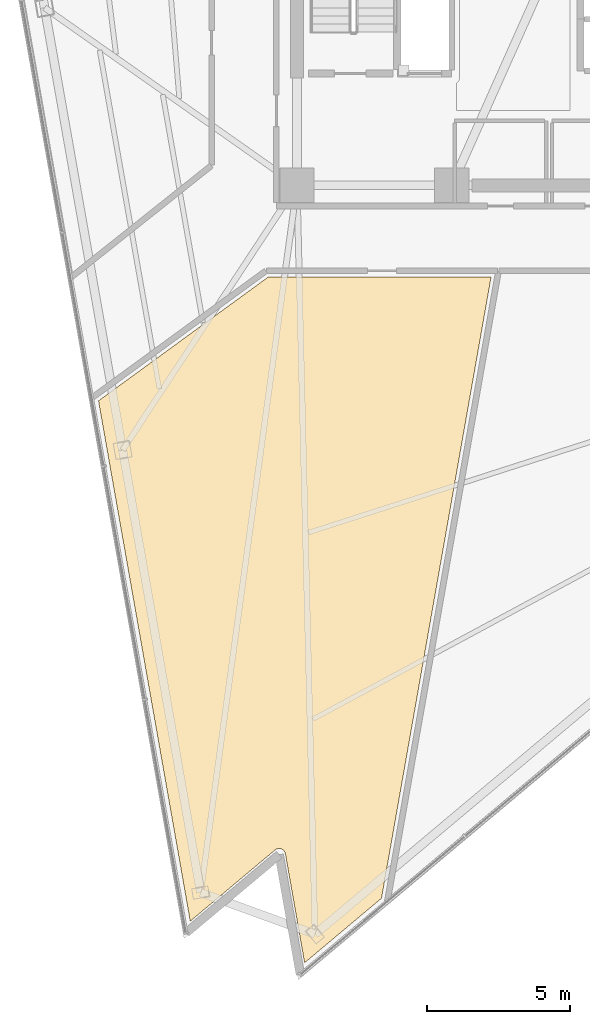
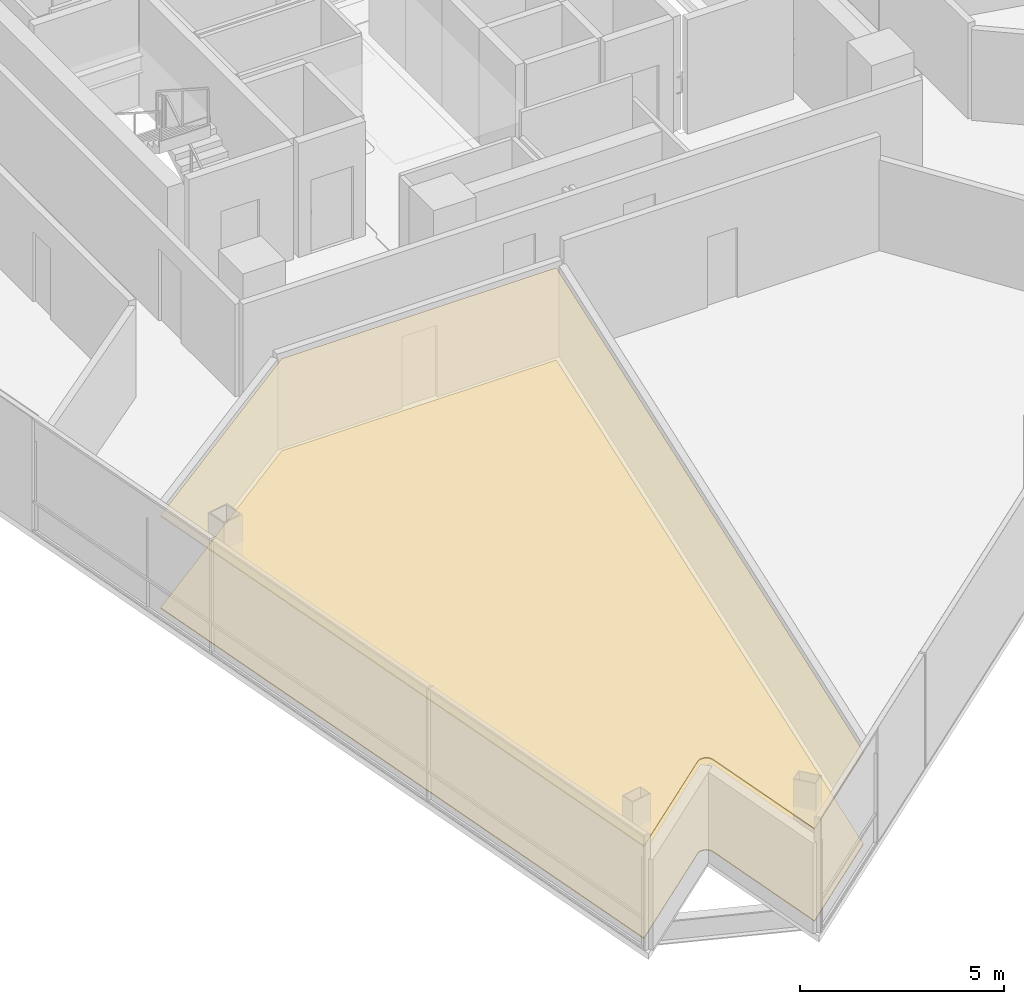
# One storey, part 13 of 16: 2 coverings.
"""IFC4 building model written with IfcOpenShell, lengths in metres."""

from ifc_helpers import new_model, si_unit, direction, frame, origin, place, context, subcontext, project, spatial, polyline, outline, extrude, material, layer, layer_set, type_object, element, save


model = new_model("IFC4")

# Units and contexts
model_context = context("Model", 3, precision=1e-05, world=origin(), true_north=direction((0.0, 1.0)))
body_context = subcontext(model_context, "Body", "Model", "MODEL_VIEW")
ifc_project = project(units=[si_unit("LENGTHUNIT", "METRE"), si_unit("AREAUNIT", "SQUARE_METRE"), si_unit("VOLUMEUNIT", "CUBIC_METRE"), si_unit("PLANEANGLEUNIT", "RADIAN"), si_unit("MASSUNIT", "GRAM", prefix="KILO")], contexts=[model_context])

# Site, building, storey
site_placement = place(None, origin())
site = spatial("IfcSite", under=ifc_project, at=site_placement, CompositionType="ELEMENT")
building_placement = place(site_placement, origin())
building = spatial("IfcBuilding", under=site, at=building_placement, Name="Tharavind Bronze Gate", CompositionType="ELEMENT")
storey_placement = place(building_placement, frame((0.0, 0.0, 181.300048828125)))
storey = spatial("IfcBuildingStorey", under=building, at=storey_placement, Name="L46", CompositionType="ELEMENT", Elevation=181.300048828125)

# Coverings
ifc_material_1 = material(Name="Engineered Oak & Carpet Tile", Category="wood")
ifc_layer_1 = layer(ifc_material_1, 0.02490234375)
ifc_layer_set_1 = layer_set([ifc_layer_1], Name="Engineered Oak & Carpet Tile")
covering_type_1 = type_object("IfcCoveringType", Name="ENGINEERED TIMBER FLOORING", PredefinedType="FLOORING", material=ifc_layer_set_1)
covering_1_placement = place(storey_placement, origin())
element("IfcCovering", 1, at=covering_1_placement, inside=storey, type_object=covering_type_1, Name="L46-RM-05 floor finish", PredefinedType="FLOORING", context=body_context, shape_type="SweptSolid", body=[
    extrude(outline(polyline([(-12.626220703125, -33.2802734375), (-9.66455078125, -30.795166015625), (-9.656005859375, -30.7880859375), (-9.655517578125, -30.787841796875), (-9.63720703125, -30.775390625), (-9.6181640625, -30.764892578125), (-9.597900390625, -30.756591796875), (-9.576904296875, -30.75), (-9.555419921875, -30.74560546875), (-9.53369140625, -30.743408203125), (-9.51171875, -30.743408203125), (-9.48974609375, -30.74560546875), (-9.46826171875, -30.75), (-9.447509765625, -30.756591796875), (-9.42724609375, -30.764892578125), (-9.407958984375, -30.775390625), (-9.389892578125, -30.787841796875), (-9.373046875, -30.802001953125), (-9.357666015625, -30.817626953125), (-9.343994140625, -30.834716796875), (-9.33203125, -30.853271484375), (-9.322021484375, -30.872802734375), (-9.314208984375, -30.893310546875), (-9.30810546875, -30.914306640625), (-9.30810546875, -30.914794921875), (-9.305908203125, -30.925537109375), (-8.634521484375, -34.733154296875), (-5.95068359375, -32.481201171875), (-2.127685546875, -10.800048828125), (-9.906494140625, -10.800048828125), (-15.828369140625, -15.12060546875), (-12.626220703125, -33.2802734375)])), origin(), (0.0, 0.0, 1.0), 0.02490234375),
])
ifc_material_2 = material(Name="Acoustic Gypsum Board", Category="gypsum")
ifc_layer_2 = layer(ifc_material_2, 0.030029296875)
ifc_layer_set_2 = layer_set([ifc_layer_2], Name="Acoustic Gypsum Board")
covering_type_2 = type_object("IfcCoveringType", Name="GYPSUM SUSPENDED CEILING", PredefinedType="CEILING", material=ifc_layer_set_2)
covering_2_placement = place(storey_placement, frame((0.0, 0.0, 2.75)))
element("IfcCovering", 2, at=covering_2_placement, inside=storey, type_object=covering_type_2, Name="L46-RM-05 suspended ceiling", PredefinedType="CEILING", context=body_context, shape_type="SweptSolid", body=[
    extrude(outline(polyline([(-12.626220703125, -33.2802734375), (-9.66455078125, -30.795166015625), (-9.656005859375, -30.7880859375), (-9.655517578125, -30.787841796875), (-9.63720703125, -30.775390625), (-9.6181640625, -30.764892578125), (-9.597900390625, -30.756591796875), (-9.576904296875, -30.75), (-9.555419921875, -30.74560546875), (-9.53369140625, -30.743408203125), (-9.51171875, -30.743408203125), (-9.48974609375, -30.74560546875), (-9.46826171875, -30.75), (-9.447509765625, -30.756591796875), (-9.42724609375, -30.764892578125), (-9.407958984375, -30.775390625), (-9.389892578125, -30.787841796875), (-9.373046875, -30.802001953125), (-9.357666015625, -30.817626953125), (-9.343994140625, -30.834716796875), (-9.33203125, -30.853271484375), (-9.322021484375, -30.872802734375), (-9.314208984375, -30.893310546875), (-9.30810546875, -30.914306640625), (-9.30810546875, -30.914794921875), (-9.305908203125, -30.925537109375), (-8.634521484375, -34.733154296875), (-5.95068359375, -32.481201171875), (-2.127685546875, -10.800048828125), (-9.906494140625, -10.800048828125), (-15.828369140625, -15.12060546875), (-12.626220703125, -33.2802734375)])), origin(), (0.0, 0.0, 1.0), 0.034912109375),
])

save(model, "model.ifc")
